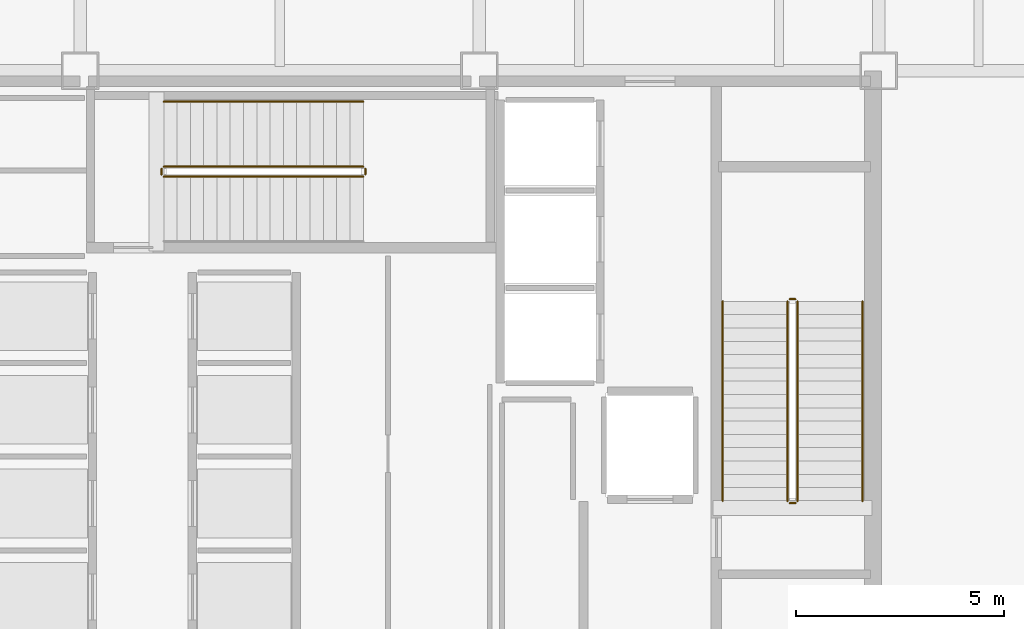
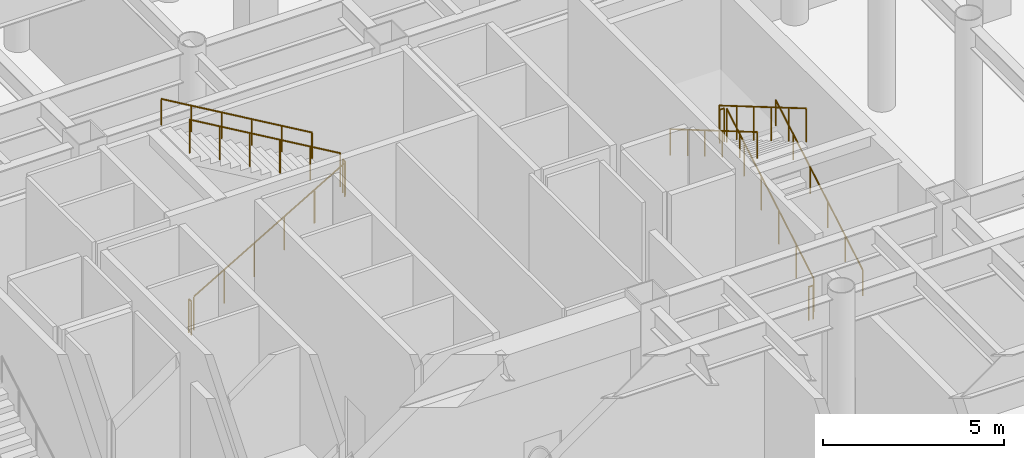
# One storey, part 21 of 23: 11 railings.
"""IFC4 building model written with IfcOpenShell, lengths in metres."""

from ifc_helpers import new_model, si_unit, direction, frame, origin, origin_2d, place, context, subcontext, project, spatial, circle, extrude, material, layer, layer_set, type_object, element, save


model = new_model("IFC4")

# Units and contexts
model_context = context("Model", 3, precision=1e-05, world=origin(), true_north=direction((0.0, 1.0)))
body_context = subcontext(model_context, "Body", "Model", "MODEL_VIEW")
ifc_project = project(units=[si_unit("LENGTHUNIT", "METRE"), si_unit("AREAUNIT", "SQUARE_METRE"), si_unit("VOLUMEUNIT", "CUBIC_METRE"), si_unit("PLANEANGLEUNIT", "RADIAN"), si_unit("MASSUNIT", "GRAM", prefix="KILO")], contexts=[model_context])

# Site, building, storey
site_placement = place(None, origin())
site = spatial("IfcSite", under=ifc_project, at=site_placement, CompositionType="ELEMENT")
building_placement = place(site_placement, origin())
building = spatial("IfcBuilding", under=site, at=building_placement, Name="Kallvorn Hotel Tower", CompositionType="ELEMENT")
storey_placement = place(building_placement, origin())
storey = spatial("IfcBuildingStorey", under=building, at=storey_placement, Name="L00", CompositionType="ELEMENT", Elevation=0.0)

# Railings
ifc_material_1 = material(Name="Brushed stainless-steel tubular railing", Category="steel")
ifc_layer_1 = layer(ifc_material_1, 0.050048828125)
ifc_layer_set_1 = layer_set([ifc_layer_1], Name="RL_STAIR_GUARD")
railing_type_1 = type_object("IfcRailingType", Name="RL_STAIR_GUARD", PredefinedType="GUARDRAIL", material=ifc_layer_set_1)
railing_1_placement = place(storey_placement, frame((12.449951171875, -3.139892578125, 0.1875)))
element("IfcRailing", 1, at=railing_1_placement, inside=storey, type_object=railing_type_1, Name="L00 ST2 stair guard 1", PredefinedType="GUARDRAIL", context=body_context, shape_type="SweptSolid", body=[
    extrude(circle(Radius=0.02392578125, at=origin_2d()), frame((0.0, 0.0, 1.1259765625), z_axis=(0.0, 0.862790387251, 0.505561813893), x_axis=(-1.0, 0.0, 0.0)), (0.0, 0.0, 1.0), 5.563232421875),
    extrude(circle(Radius=0.02099609375, at=origin_2d()), origin(), (0.0, 0.0, 1.0), 1.101806640625),
    extrude(circle(Radius=0.02099609375, at=origin_2d()), frame((0.0, 0.9599609375, 0.5625)), (0.0, 0.0, 1.0), 1.101806640625),
    extrude(circle(Radius=0.02099609375, at=origin_2d()), frame((0.0, 1.919921875, 1.125)), (0.0, 0.0, 1.0), 1.101806640625),
    extrude(circle(Radius=0.02099609375, at=origin_2d()), frame((0.0, 2.8798828125, 1.6875)), (0.0, 0.0, 1.0), 1.101806640625),
    extrude(circle(Radius=0.02099609375, at=origin_2d()), frame((0.0, 3.83984375, 2.25)), (0.0, 0.0, 1.0), 1.101806640625),
    extrude(circle(Radius=0.02099609375, at=origin_2d()), frame((0.0, 4.7998046875, 2.8125)), (0.0, 0.0, 1.0), 1.101806640625),
])
railing_2_placement = place(storey_placement, frame((12.39990234375, 1.7099609375, 3.0)))
element("IfcRailing", 2, at=railing_2_placement, inside=storey, type_object=railing_type_1, Name="L00 ST2 stair guard 2", PredefinedType="GUARDRAIL", context=body_context, shape_type="SweptSolid", body=[
    extrude(circle(Radius=0.02392578125, at=origin_2d()), frame((0.0, 0.0, 1.1259765625), z_axis=(-1.0, 0.0, 0.0), x_axis=(0.0, -1.0, 0.0)), (0.0, 0.0, 1.0), 0.139892578125),
    extrude(circle(Radius=0.02099609375, at=origin_2d()), origin(), (0.0, 0.0, 1.0), 1.101806640625),
    extrude(circle(Radius=0.02099609375, at=origin_2d()), frame((-0.139892578125, 0.0, 0.0)), (0.0, 0.0, 1.0), 1.101806640625),
])
railing_3_placement = place(storey_placement, frame((12.2099609375, 1.659912109375, 3.1875)))
element("IfcRailing", 3, at=railing_3_placement, inside=storey, type_object=railing_type_1, Name="L00 ST2 stair guard 3", PredefinedType="GUARDRAIL", context=body_context, shape_type="SweptSolid", body=[
    extrude(circle(Radius=0.02392578125, at=origin_2d()), frame((0.0, 0.0, 1.1259765625), z_axis=(0.0, -0.862790387251, 0.505561813893), x_axis=(1.0, 0.0, 0.0)), (0.0, 0.0, 1.0), 5.563232421875),
    extrude(circle(Radius=0.02099609375, at=origin_2d()), origin(), (0.0, 0.0, 1.0), 1.101806640625),
    extrude(circle(Radius=0.02099609375, at=origin_2d()), frame((0.0, -0.9599609375, 0.5625)), (0.0, 0.0, 1.0), 1.101806640625),
    extrude(circle(Radius=0.02099609375, at=origin_2d()), frame((0.0, -1.919921875, 1.125)), (0.0, 0.0, 1.0), 1.101806640625),
    extrude(circle(Radius=0.02099609375, at=origin_2d()), frame((0.0, -2.8798828125, 1.6875)), (0.0, 0.0, 1.0), 1.101806640625),
    extrude(circle(Radius=0.02099609375, at=origin_2d()), frame((0.0, -3.83984375, 2.25)), (0.0, 0.0, 1.0), 1.101806640625),
    extrude(circle(Radius=0.02099609375, at=origin_2d()), frame((0.0, -4.7998046875, 2.8125)), (0.0, 0.0, 1.0), 1.101806640625),
])
railing_4_placement = place(storey_placement, frame((12.39990234375, -3.18994140625, 0.0)))
element("IfcRailing", 4, at=railing_4_placement, inside=storey, type_object=railing_type_1, Name="L00 ST2 stair guard 4", PredefinedType="GUARDRAIL", context=body_context, shape_type="SweptSolid", body=[
    extrude(circle(Radius=0.02392578125, at=origin_2d()), frame((0.0, 0.0, 1.1259765625), z_axis=(-1.0, 0.0, 0.0), x_axis=(0.0, -1.0, 0.0)), (0.0, 0.0, 1.0), 0.139892578125),
    extrude(circle(Radius=0.02099609375, at=origin_2d()), origin(), (0.0, 0.0, 1.0), 1.101806640625),
    extrude(circle(Radius=0.02099609375, at=origin_2d()), frame((-0.139892578125, 0.0, 0.0)), (0.0, 0.0, 1.0), 1.101806640625),
])
railing_5_placement = place(storey_placement, frame((-2.7900390625, 4.659912109375, 0.1875)))
element("IfcRailing", 5, at=railing_5_placement, inside=storey, type_object=railing_type_1, Name="L00 ST3 stair guard 1", PredefinedType="GUARDRAIL", context=body_context, shape_type="SweptSolid", body=[
    extrude(circle(Radius=0.02392578125, at=origin_2d()), frame((0.0, 0.0, 1.1259765625), z_axis=(0.862801603449, 0.0, 0.505542671875), x_axis=(0.0, 1.0, 0.0)), (0.0, 0.0, 1.0), 5.563232421875),
    extrude(circle(Radius=0.02099609375, at=origin_2d()), origin(), (0.0, 0.0, 1.0), 1.101806640625),
    extrude(circle(Radius=0.02099609375, at=origin_2d()), frame((0.9599609375, 0.0, 0.5625)), (0.0, 0.0, 1.0), 1.101806640625),
    extrude(circle(Radius=0.02099609375, at=origin_2d()), frame((1.919921875, 0.0, 1.125)), (0.0, 0.0, 1.0), 1.101806640625),
    extrude(circle(Radius=0.02099609375, at=origin_2d()), frame((2.880126953125, 0.0, 1.6875)), (0.0, 0.0, 1.0), 1.101806640625),
    extrude(circle(Radius=0.02099609375, at=origin_2d()), frame((3.840087890625, 0.0, 2.25)), (0.0, 0.0, 1.0), 1.101806640625),
    extrude(circle(Radius=0.02099609375, at=origin_2d()), frame((4.800048828125, 0.0, 2.8125)), (0.0, 0.0, 1.0), 1.101806640625),
])
railing_6_placement = place(storey_placement, frame((2.06005859375, 4.7099609375, 3.0)))
element("IfcRailing", 6, at=railing_6_placement, inside=storey, type_object=railing_type_1, Name="L00 ST3 stair guard 2", PredefinedType="GUARDRAIL", context=body_context, shape_type="SweptSolid", body=[
    extrude(circle(Radius=0.02392578125, at=origin_2d()), frame((0.0, 0.0, 1.1259765625), z_axis=(0.0, 1.0, 0.0), x_axis=(-1.0, 0.0, 0.0)), (0.0, 0.0, 1.0), 0.14013671875),
    extrude(circle(Radius=0.02099609375, at=origin_2d()), origin(), (0.0, 0.0, 1.0), 1.101806640625),
    extrude(circle(Radius=0.02099609375, at=origin_2d()), frame((0.0, 0.14013671875, 0.0)), (0.0, 0.0, 1.0), 1.101806640625),
])
railing_7_placement = place(storey_placement, frame((2.010009765625, 4.89990234375, 3.1875)))
element("IfcRailing", 7, at=railing_7_placement, inside=storey, type_object=railing_type_1, Name="L00 ST3 stair guard 3", PredefinedType="GUARDRAIL", context=body_context, shape_type="SweptSolid", body=[
    extrude(circle(Radius=0.02392578125, at=origin_2d()), frame((0.0, 0.0, 1.1259765625), z_axis=(-0.862801603449, 0.0, 0.505542671875), x_axis=(0.0, -1.0, 0.0)), (0.0, 0.0, 1.0), 5.563232421875),
    extrude(circle(Radius=0.02099609375, at=origin_2d()), origin(), (0.0, 0.0, 1.0), 1.101806640625),
    extrude(circle(Radius=0.02099609375, at=origin_2d()), frame((-0.9599609375, 0.0, 0.5625)), (0.0, 0.0, 1.0), 1.101806640625),
    extrude(circle(Radius=0.02099609375, at=origin_2d()), frame((-1.919921875, 0.0, 1.125)), (0.0, 0.0, 1.0), 1.101806640625),
    extrude(circle(Radius=0.02099609375, at=origin_2d()), frame((-2.880126953125, 0.0, 1.6875)), (0.0, 0.0, 1.0), 1.101806640625),
    extrude(circle(Radius=0.02099609375, at=origin_2d()), frame((-3.840087890625, 0.0, 2.25)), (0.0, 0.0, 1.0), 1.101806640625),
    extrude(circle(Radius=0.02099609375, at=origin_2d()), frame((-4.800048828125, 0.0, 2.8125)), (0.0, 0.0, 1.0), 1.101806640625),
])
railing_8_placement = place(storey_placement, frame((-2.840087890625, 4.7099609375, 0.0)))
element("IfcRailing", 8, at=railing_8_placement, inside=storey, type_object=railing_type_1, Name="L00 ST3 stair guard 4", PredefinedType="GUARDRAIL", context=body_context, shape_type="SweptSolid", body=[
    extrude(circle(Radius=0.02392578125, at=origin_2d()), frame((0.0, 0.0, 1.1259765625), z_axis=(0.0, 1.0, 0.0), x_axis=(-1.0, 0.0, 0.0)), (0.0, 0.0, 1.0), 0.14013671875),
    extrude(circle(Radius=0.02099609375, at=origin_2d()), origin(), (0.0, 0.0, 1.0), 1.101806640625),
    extrude(circle(Radius=0.02099609375, at=origin_2d()), frame((0.0, 0.14013671875, 0.0)), (0.0, 0.0, 1.0), 1.101806640625),
])
ifc_material_2 = material(Name="Brushed stainless-steel tubular railing", Category="steel")
ifc_layer_2 = layer(ifc_material_2, 0.050048828125)
ifc_layer_set_2 = layer_set([ifc_layer_2], Name="RL_STAIR_HAND")
railing_type_2 = type_object("IfcRailingType", Name="RL_STAIR_HAND", PredefinedType="HANDRAIL", material=ifc_layer_set_2)
railing_9_placement = place(storey_placement, frame((14.010009765625, -3.139892578125, 0.1875)))
element("IfcRailing", 9, at=railing_9_placement, inside=storey, type_object=railing_type_2, Name="L00 ST2 stair handrail 1", PredefinedType="HANDRAIL", context=body_context, shape_type="SweptSolid", body=[
    extrude(circle(Radius=0.02392578125, at=origin_2d()), frame((0.0, 0.0, 0.8759765625), z_axis=(0.0, 0.862790387251, 0.505561813893), x_axis=(-1.0, 0.0, 0.0)), (0.0, 0.0, 1.0), 5.563232421875),
    extrude(circle(Radius=0.02099609375, at=origin_2d()), origin(), (0.0, 0.0, 1.0), 0.851806640625),
    extrude(circle(Radius=0.02099609375, at=origin_2d()), frame((0.0, 0.9599609375, 0.5625)), (0.0, 0.0, 1.0), 0.851806640625),
    extrude(circle(Radius=0.02099609375, at=origin_2d()), frame((0.0, 1.919921875, 1.125)), (0.0, 0.0, 1.0), 0.851806640625),
    extrude(circle(Radius=0.02099609375, at=origin_2d()), frame((0.0, 2.8798828125, 1.6875)), (0.0, 0.0, 1.0), 0.851806640625),
    extrude(circle(Radius=0.02099609375, at=origin_2d()), frame((0.0, 3.83984375, 2.25)), (0.0, 0.0, 1.0), 0.851806640625),
    extrude(circle(Radius=0.02099609375, at=origin_2d()), frame((0.0, 4.7998046875, 2.8125)), (0.0, 0.0, 1.0), 0.851806640625),
])
railing_10_placement = place(storey_placement, frame((10.64990234375, 1.659912109375, 3.1875)))
element("IfcRailing", 10, at=railing_10_placement, inside=storey, type_object=railing_type_2, Name="L00 ST2 stair handrail 2", PredefinedType="HANDRAIL", context=body_context, shape_type="SweptSolid", body=[
    extrude(circle(Radius=0.02392578125, at=origin_2d()), frame((0.0, 0.0, 0.8759765625), z_axis=(0.0, -0.862790387251, 0.505561813893), x_axis=(1.0, 0.0, 0.0)), (0.0, 0.0, 1.0), 5.563232421875),
    extrude(circle(Radius=0.02099609375, at=origin_2d()), origin(), (0.0, 0.0, 1.0), 0.851806640625),
    extrude(circle(Radius=0.02099609375, at=origin_2d()), frame((0.0, -0.9599609375, 0.5625)), (0.0, 0.0, 1.0), 0.851806640625),
    extrude(circle(Radius=0.02099609375, at=origin_2d()), frame((0.0, -1.919921875, 1.125)), (0.0, 0.0, 1.0), 0.851806640625),
    extrude(circle(Radius=0.02099609375, at=origin_2d()), frame((0.0, -2.8798828125, 1.6875)), (0.0, 0.0, 1.0), 0.851806640625),
    extrude(circle(Radius=0.02099609375, at=origin_2d()), frame((0.0, -3.83984375, 2.25)), (0.0, 0.0, 1.0), 0.851806640625),
    extrude(circle(Radius=0.02099609375, at=origin_2d()), frame((0.0, -4.7998046875, 2.8125)), (0.0, 0.0, 1.0), 0.851806640625),
])
railing_11_placement = place(storey_placement, frame((2.010009765625, 6.4599609375, 3.1875)))
element("IfcRailing", 11, at=railing_11_placement, inside=storey, type_object=railing_type_2, Name="L00 ST3 stair handrail 2", PredefinedType="HANDRAIL", context=body_context, shape_type="SweptSolid", body=[
    extrude(circle(Radius=0.02392578125, at=origin_2d()), frame((0.0, 0.0, 0.8759765625), z_axis=(-0.862801603449, 0.0, 0.505542671875), x_axis=(0.0, -1.0, 0.0)), (0.0, 0.0, 1.0), 5.563232421875),
    extrude(circle(Radius=0.02099609375, at=origin_2d()), origin(), (0.0, 0.0, 1.0), 0.851806640625),
    extrude(circle(Radius=0.02099609375, at=origin_2d()), frame((-0.9599609375, 0.0, 0.5625)), (0.0, 0.0, 1.0), 0.851806640625),
    extrude(circle(Radius=0.02099609375, at=origin_2d()), frame((-1.919921875, 0.0, 1.125)), (0.0, 0.0, 1.0), 0.851806640625),
    extrude(circle(Radius=0.02099609375, at=origin_2d()), frame((-2.880126953125, 0.0, 1.6875)), (0.0, 0.0, 1.0), 0.851806640625),
    extrude(circle(Radius=0.02099609375, at=origin_2d()), frame((-3.840087890625, 0.0, 2.25)), (0.0, 0.0, 1.0), 0.851806640625),
    extrude(circle(Radius=0.02099609375, at=origin_2d()), frame((-4.800048828125, 0.0, 2.8125)), (0.0, 0.0, 1.0), 0.851806640625),
])

save(model, "model.ifc")
